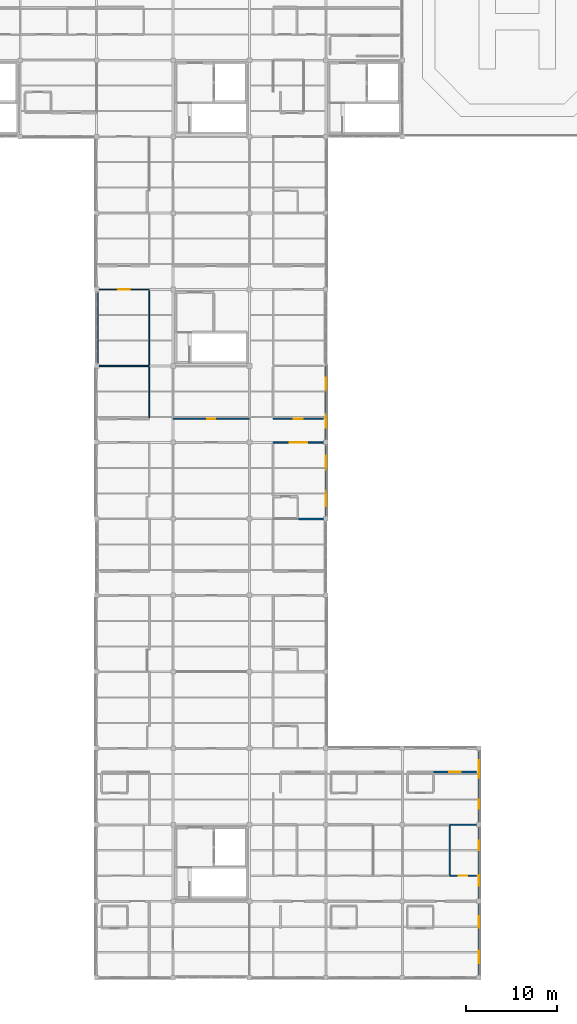
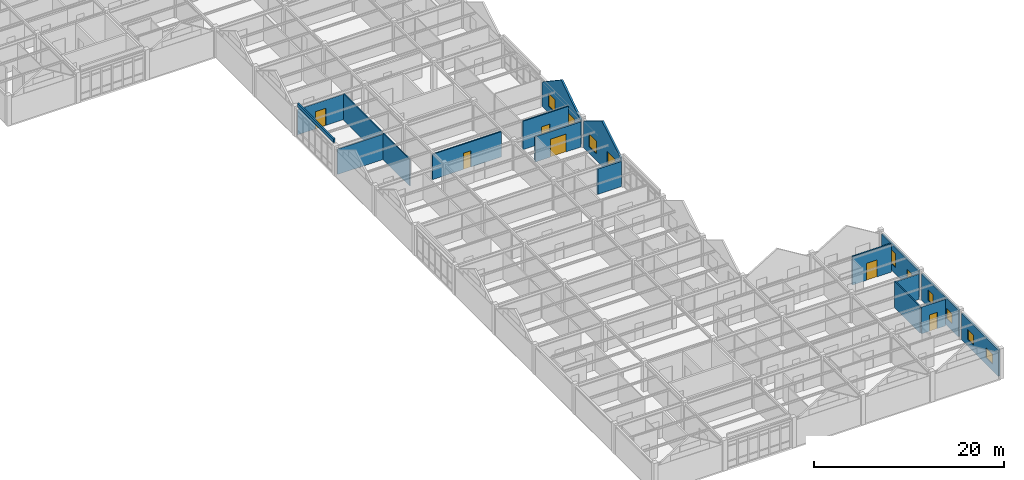
# One storey, part 37 of 45: 18 walls, 10 windows, 6 doors, 16 openings.
"""IFC4 building model written with IfcOpenShell, lengths in metres."""

from ifc_helpers import new_model, si_unit, direction, frame, frame_2d, origin, place, context, subcontext, project, spatial, polyline, rectangle, outline, extrude, material, layer, layer_set, type_object, element, fill, save


model = new_model("IFC4")

# Units and contexts
model_context = context("Model", 3, precision=1e-05, world=origin(), true_north=direction((0.0, 1.0)))
body_context = subcontext(model_context, "Body", "Model", "MODEL_VIEW")
ifc_project = project(units=[si_unit("LENGTHUNIT", "METRE"), si_unit("AREAUNIT", "SQUARE_METRE"), si_unit("VOLUMEUNIT", "CUBIC_METRE"), si_unit("PLANEANGLEUNIT", "RADIAN"), si_unit("MASSUNIT", "GRAM", prefix="KILO")], contexts=[model_context])

# Site, building, storey
site_placement = place(None, origin())
site = spatial("IfcSite", under=ifc_project, at=site_placement, CompositionType="ELEMENT")
building_placement = place(site_placement, origin())
building = spatial("IfcBuilding", under=site, at=building_placement, Name="Bramfleet General Hospital", CompositionType="ELEMENT")
storey_placement = place(building_placement, frame((0.0, 0.0, 30.300048828125)))
storey = spatial("IfcBuildingStorey", under=building, at=storey_placement, Name="L07", CompositionType="ELEMENT", Elevation=30.300048828125)

# Wall, openings, windows
ifc_material_1 = material(Name="Structural timber GL28h", Category="wood")
ifc_layer_1 = layer(ifc_material_1, 0.219970703125, Name="WT-EW-10")
ifc_layer_set_1 = layer_set([ifc_layer_1], Name="Structural timber GL28h")
wall_type_1 = type_object("IfcWallType", Name="WT-EW-10", PredefinedType="SOLIDWALL", material=ifc_layer_set_1)
wall_1_placement = place(storey_placement, frame((117.60009765625, 67.199951171875, 0.0), z_axis=(0.0, 0.0, 1.0), x_axis=(0.0, -1.0, 0.0)))
wall_1 = element("IfcWall", 1, at=wall_1_placement, inside=storey, type_object=wall_type_1, Name="L07 Exterior Wall 443", PredefinedType="SOLIDWALL", context=body_context, shape_type="SweptSolid", body=[
    extrude(outline(polyline([(0.0, 0.0), (8.074951171875, 0.0), (8.074951171875, 3.14990234375), (4.03759765625, 5.8466796875), (0.0, 3.14990234375), (0.0, 0.0)])), frame((0.0, 0.10986328125, 0.0), z_axis=(0.0, -1.0, 0.0), x_axis=(1.0, 0.0, 0.0)), (0.0, 0.0, 1.0), 0.219970703125),
])
opening_1_placement = place(wall_1_placement, frame((1.31884765625, 0.0, 0.85009765625)))
opening_1 = element("IfcOpeningElement", 2, at=opening_1_placement, cuts=wall_1, Name="Opening W-34", PredefinedType="OPENING", context=body_context, shape_type="SweptSolid", body=[
    extrude(rectangle(XDim=1.39990234375, YDim=1.659912109375, at=frame_2d((0.699951171875, 0.830078125))), frame((0.0, 0.119873046875, 0.0), z_axis=(0.0, -1.0, 0.0), x_axis=(1.0, 0.0, 0.0)), (0.0, 0.0, 1.0), 0.239990234375),
])
opening_2_placement = place(wall_1_placement, frame((5.306396484375, 0.0, 0.85009765625)))
opening_2 = element("IfcOpeningElement", 3, at=opening_2_placement, cuts=wall_1, Name="Opening W-35", PredefinedType="OPENING", context=body_context, shape_type="SweptSolid", body=[
    extrude(rectangle(XDim=1.5, YDim=1.659912109375, at=frame_2d((0.75, 0.830078125))), frame((0.0, 0.119873046875, 0.0), z_axis=(0.0, -1.0, 0.0), x_axis=(1.0, 0.0, 0.0)), (0.0, 0.0, 1.0), 0.239990234375),
])
ifc_material_2 = material(Name="Anodised aluminium and low-E triple glazing", Category="aluminium")
window_type_1 = type_object("IfcWindowType", Name="WIN-W-34", PartitioningType="SINGLE_PANEL", PredefinedType="WINDOW", material=ifc_material_2)
window_1_placement = place(opening_1_placement, origin())
window_1 = element("IfcWindow", 4, at=window_1_placement, inside=storey, type_object=window_type_1, Name="L07 Facade Window WIN-L07-443-1", OverallHeight=1.659912109375, OverallWidth=1.39990234375, PartitioningType="SINGLE_PANEL", PredefinedType="WINDOW", context=body_context, shape_type="SweptSolid", body=[
    extrude(rectangle(XDim=1.39990234375, YDim=1.659912109375, at=frame_2d((0.699951171875, 0.830078125))), frame((0.0, 0.030029296875, 0.0), z_axis=(0.0, -1.0, 0.0), x_axis=(1.0, 0.0, 0.0)), (0.0, 0.0, 1.0), 0.06005859375),
])
fill(opening_1, window_1)
window_type_2 = type_object("IfcWindowType", Name="WIN-W-35", PartitioningType="SINGLE_PANEL", PredefinedType="WINDOW", material=ifc_material_2)
window_2_placement = place(opening_2_placement, origin())
window_2 = element("IfcWindow", 5, at=window_2_placement, inside=storey, type_object=window_type_2, Name="L07 Facade Window WIN-L07-443-2", OverallHeight=1.659912109375, OverallWidth=1.5, PartitioningType="SINGLE_PANEL", PredefinedType="WINDOW", context=body_context, shape_type="SweptSolid", body=[
    extrude(rectangle(XDim=1.5, YDim=1.659912109375, at=frame_2d((0.75, 0.830078125))), frame((0.0, 0.030029296875, 0.0), z_axis=(0.0, -1.0, 0.0), x_axis=(1.0, 0.0, 0.0)), (0.0, 0.0, 1.0), 0.06005859375),
])
fill(opening_2, window_2)

wall_2_placement = place(storey_placement, frame((117.60009765625, 58.47509765625, 0.0), z_axis=(0.0, 0.0, 1.0), x_axis=(0.0, -1.0, 0.0)))
wall_2 = element("IfcWall", 6, at=wall_2_placement, inside=storey, type_object=wall_type_1, Name="L07 Exterior Wall 444", PredefinedType="SOLIDWALL", context=body_context, shape_type="SweptSolid", body=[
    extrude(outline(polyline([(0.0, 0.0), (7.75, 0.0), (7.75, 3.419921875), (3.875, 5.76025390625), (0.0, 3.419921875), (0.0, 0.0)])), frame((0.0, 0.10986328125, 0.0), z_axis=(0.0, -1.0, 0.0), x_axis=(1.0, 0.0, 0.0)), (0.0, 0.0, 1.0), 0.219970703125),
])
opening_3_placement = place(wall_2_placement, frame((1.137451171875, 0.0, 0.85009765625)))
opening_3 = element("IfcOpeningElement", 7, at=opening_3_placement, cuts=wall_2, Name="Opening W-36", PredefinedType="OPENING", context=body_context, shape_type="SweptSolid", body=[
    extrude(rectangle(XDim=1.60009765625, YDim=1.659912109375, at=frame_2d((0.800048828125, 0.830078125))), frame((0.0, 0.119873046875, 0.0), z_axis=(0.0, -1.0, 0.0), x_axis=(1.0, 0.0, 0.0)), (0.0, 0.0, 1.0), 0.239990234375),
])
opening_4_placement = place(wall_2_placement, frame((4.96240234375, 0.0, 0.85009765625)))
opening_4 = element("IfcOpeningElement", 8, at=opening_4_placement, cuts=wall_2, Name="Opening W-37", PredefinedType="OPENING", context=body_context, shape_type="SweptSolid", body=[
    extrude(rectangle(XDim=1.699951171875, YDim=1.659912109375, at=frame_2d((0.85009765625, 0.830078125))), frame((0.0, 0.119873046875, 0.0), z_axis=(0.0, -1.0, 0.0), x_axis=(1.0, 0.0, 0.0)), (0.0, 0.0, 1.0), 0.239990234375),
])
window_type_3 = type_object("IfcWindowType", Name="WIN-W-36", PartitioningType="SINGLE_PANEL", PredefinedType="WINDOW", material=ifc_material_2)
window_3_placement = place(opening_3_placement, origin())
window_3 = element("IfcWindow", 9, at=window_3_placement, inside=storey, type_object=window_type_3, Name="L07 Facade Window WIN-L07-444-1", OverallHeight=1.659912109375, OverallWidth=1.60009765625, PartitioningType="SINGLE_PANEL", PredefinedType="WINDOW", context=body_context, shape_type="SweptSolid", body=[
    extrude(rectangle(XDim=1.60009765625, YDim=1.659912109375, at=frame_2d((0.800048828125, 0.830078125))), frame((0.0, 0.030029296875, 0.0), z_axis=(0.0, -1.0, 0.0), x_axis=(1.0, 0.0, 0.0)), (0.0, 0.0, 1.0), 0.06005859375),
])
fill(opening_3, window_3)
window_type_4 = type_object("IfcWindowType", Name="WIN-W-37", PartitioningType="SINGLE_PANEL", PredefinedType="WINDOW", material=ifc_material_2)
window_4_placement = place(opening_4_placement, origin())
window_4 = element("IfcWindow", 10, at=window_4_placement, inside=storey, type_object=window_type_4, Name="L07 Facade Window WIN-L07-444-2", OverallHeight=1.659912109375, OverallWidth=1.699951171875, PartitioningType="SINGLE_PANEL", PredefinedType="WINDOW", context=body_context, shape_type="SweptSolid", body=[
    extrude(rectangle(XDim=1.699951171875, YDim=1.659912109375, at=frame_2d((0.85009765625, 0.830078125))), frame((0.0, 0.030029296875, 0.0), z_axis=(0.0, -1.0, 0.0), x_axis=(1.0, 0.0, 0.0)), (0.0, 0.0, 1.0), 0.06005859375),
])
fill(opening_4, window_4)

wall_3_placement = place(storey_placement, frame((134.39990234375, 24.875, 0.0), z_axis=(0.0, 0.0, 1.0), x_axis=(0.0, -1.0, 0.0)))
wall_3 = element("IfcWall", 11, at=wall_3_placement, inside=storey, type_object=wall_type_1, Name="L07 Exterior Wall 449", PredefinedType="SOLIDWALL", context=body_context, shape_type="SweptSolid", body=[
    extrude(rectangle(XDim=7.75, YDim=0.219970703125, at=frame_2d((3.875, 0.0))), origin(), (0.0, 0.0, 1.0), 3.419921875),
])
opening_5_placement = place(wall_3_placement, frame((0.987548828125, 0.0, 0.85009765625)))
opening_5 = element("IfcOpeningElement", 12, at=opening_5_placement, cuts=wall_3, Name="Opening W-46", PredefinedType="OPENING", context=body_context, shape_type="SweptSolid", body=[
    extrude(rectangle(XDim=1.89990234375, YDim=1.780029296875, at=frame_2d((0.949951171875, 0.89013671875))), frame((0.0, 0.119873046875, 0.0), z_axis=(0.0, -1.0, 0.0), x_axis=(1.0, 0.0, 0.0)), (0.0, 0.0, 1.0), 0.239990234375),
])
opening_6_placement = place(wall_3_placement, frame((5.33740234375, 0.0, 0.85009765625)))
opening_6 = element("IfcOpeningElement", 13, at=opening_6_placement, cuts=wall_3, Name="Opening W-01", PredefinedType="OPENING", context=body_context, shape_type="SweptSolid", body=[
    extrude(rectangle(XDim=0.949951171875, YDim=1.300048828125, at=frame_2d((0.47509765625, 0.64990234375))), frame((0.0, 0.119873046875, 0.0), z_axis=(0.0, -1.0, 0.0), x_axis=(1.0, 0.0, 0.0)), (0.0, 0.0, 1.0), 0.239990234375),
])
window_type_5 = type_object("IfcWindowType", Name="WIN-W-01", PartitioningType="SINGLE_PANEL", PredefinedType="WINDOW", material=ifc_material_2)
window_5_placement = place(opening_6_placement, origin())
window_5 = element("IfcWindow", 14, at=window_5_placement, inside=storey, type_object=window_type_5, Name="L07 Facade Window WIN-L07-449-2", OverallHeight=1.300048828125, OverallWidth=0.949951171875, PartitioningType="SINGLE_PANEL", PredefinedType="WINDOW", context=body_context, shape_type="SweptSolid", body=[
    extrude(rectangle(XDim=0.949951171875, YDim=1.300048828125, at=frame_2d((0.47509765625, 0.64990234375))), frame((0.0, 0.030029296875, 0.0), z_axis=(0.0, -1.0, 0.0), x_axis=(1.0, 0.0, 0.0)), (0.0, 0.0, 1.0), 0.06005859375),
])
fill(opening_6, window_5)
window_type_6 = type_object("IfcWindowType", Name="WIN-W-46", PartitioningType="SINGLE_PANEL", PredefinedType="WINDOW", material=ifc_material_2)
window_6_placement = place(opening_5_placement, origin())
window_6 = element("IfcWindow", 15, at=window_6_placement, inside=storey, type_object=window_type_6, Name="L07 Facade Window WIN-L07-449-1", OverallHeight=1.780029296875, OverallWidth=1.89990234375, PartitioningType="SINGLE_PANEL", PredefinedType="WINDOW", context=body_context, shape_type="SweptSolid", body=[
    extrude(rectangle(XDim=1.89990234375, YDim=1.780029296875, at=frame_2d((0.949951171875, 0.89013671875))), frame((0.0, 0.030029296875, 0.0), z_axis=(0.0, -1.0, 0.0), x_axis=(1.0, 0.0, 0.0)), (0.0, 0.0, 1.0), 0.06005859375),
])
fill(opening_5, window_6)

wall_4_placement = place(storey_placement, frame((134.39990234375, 16.47509765625, 0.0), z_axis=(0.0, 0.0, 1.0), x_axis=(0.0, -1.0, 0.0)))
wall_4 = element("IfcWall", 16, at=wall_4_placement, inside=storey, type_object=wall_type_1, Name="L07 Exterior Wall 450", PredefinedType="SOLIDWALL", context=body_context, shape_type="SweptSolid", body=[
    extrude(rectangle(XDim=7.75, YDim=0.219970703125, at=frame_2d((3.875, 0.0))), origin(), (0.0, 0.0, 1.0), 3.419921875),
])
opening_7_placement = place(wall_4_placement, frame((1.41259765625, 0.0, 0.85009765625)))
opening_7 = element("IfcOpeningElement", 17, at=opening_7_placement, cuts=wall_4, Name="Opening W-02", PredefinedType="OPENING", context=body_context, shape_type="SweptSolid", body=[
    extrude(rectangle(XDim=1.050048828125, YDim=1.300048828125, at=frame_2d((0.52490234375, 0.64990234375))), frame((0.0, 0.119873046875, 0.0), z_axis=(0.0, -1.0, 0.0), x_axis=(1.0, 0.0, 0.0)), (0.0, 0.0, 1.0), 0.239990234375),
])
opening_8_placement = place(wall_4_placement, frame((5.237548828125, 0.0, 0.85009765625)))
opening_8 = element("IfcOpeningElement", 18, at=opening_8_placement, cuts=wall_4, Name="Opening W-03", PredefinedType="OPENING", context=body_context, shape_type="SweptSolid", body=[
    extrude(rectangle(XDim=1.14990234375, YDim=1.300048828125, at=frame_2d((0.574951171875, 0.64990234375))), frame((0.0, 0.119873046875, 0.0), z_axis=(0.0, -1.0, 0.0), x_axis=(1.0, 0.0, 0.0)), (0.0, 0.0, 1.0), 0.239990234375),
])
window_type_7 = type_object("IfcWindowType", Name="WIN-W-02", PartitioningType="SINGLE_PANEL", PredefinedType="WINDOW", material=ifc_material_2)
window_7_placement = place(opening_7_placement, origin())
window_7 = element("IfcWindow", 19, at=window_7_placement, inside=storey, type_object=window_type_7, Name="L07 Facade Window WIN-L07-450-1", OverallHeight=1.300048828125, OverallWidth=1.050048828125, PartitioningType="SINGLE_PANEL", PredefinedType="WINDOW", context=body_context, shape_type="SweptSolid", body=[
    extrude(rectangle(XDim=1.050048828125, YDim=1.300048828125, at=frame_2d((0.52490234375, 0.64990234375))), frame((0.0, 0.030029296875, 0.0), z_axis=(0.0, -1.0, 0.0), x_axis=(1.0, 0.0, 0.0)), (0.0, 0.0, 1.0), 0.06005859375),
])
fill(opening_7, window_7)
window_type_8 = type_object("IfcWindowType", Name="WIN-W-03", PartitioningType="SINGLE_PANEL", PredefinedType="WINDOW", material=ifc_material_2)
window_8_placement = place(opening_8_placement, origin())
window_8 = element("IfcWindow", 20, at=window_8_placement, inside=storey, type_object=window_type_8, Name="L07 Facade Window WIN-L07-450-2", OverallHeight=1.300048828125, OverallWidth=1.14990234375, PartitioningType="SINGLE_PANEL", PredefinedType="WINDOW", context=body_context, shape_type="SweptSolid", body=[
    extrude(rectangle(XDim=1.14990234375, YDim=1.300048828125, at=frame_2d((0.574951171875, 0.64990234375))), frame((0.0, 0.030029296875, 0.0), z_axis=(0.0, -1.0, 0.0), x_axis=(1.0, 0.0, 0.0)), (0.0, 0.0, 1.0), 0.06005859375),
])
fill(opening_8, window_8)

wall_5_placement = place(storey_placement, frame((134.39990234375, 8.074951171875, 0.0), z_axis=(0.0, 0.0, 1.0), x_axis=(0.0, -1.0, 0.0)))
wall_5 = element("IfcWall", 21, at=wall_5_placement, inside=storey, type_object=wall_type_1, Name="L07 Exterior Wall 451", PredefinedType="SOLIDWALL", context=body_context, shape_type="SweptSolid", body=[
    extrude(rectangle(XDim=7.75, YDim=0.219970703125, at=frame_2d((3.875, 0.0))), origin(), (0.0, 0.0, 1.0), 3.419921875),
])
opening_9_placement = place(wall_5_placement, frame((1.3125, 0.0, 0.85009765625)))
opening_9 = element("IfcOpeningElement", 22, at=opening_9_placement, cuts=wall_5, Name="Opening W-04", PredefinedType="OPENING", context=body_context, shape_type="SweptSolid", body=[
    extrude(rectangle(XDim=1.25, YDim=1.300048828125, at=frame_2d((0.625, 0.64990234375))), frame((0.0, 0.119873046875, 0.0), z_axis=(0.0, -1.0, 0.0), x_axis=(1.0, 0.0, 0.0)), (0.0, 0.0, 1.0), 0.239990234375),
])
opening_10_placement = place(wall_5_placement, frame((5.137451171875, 0.0, 0.85009765625)))
opening_10 = element("IfcOpeningElement", 23, at=opening_10_placement, cuts=wall_5, Name="Opening W-05", PredefinedType="OPENING", context=body_context, shape_type="SweptSolid", body=[
    extrude(rectangle(XDim=1.35009765625, YDim=1.300048828125, at=frame_2d((0.675048828125, 0.64990234375))), frame((0.0, 0.119873046875, 0.0), z_axis=(0.0, -1.0, 0.0), x_axis=(1.0, 0.0, 0.0)), (0.0, 0.0, 1.0), 0.239990234375),
])
window_type_9 = type_object("IfcWindowType", Name="WIN-W-04", PartitioningType="SINGLE_PANEL", PredefinedType="WINDOW", material=ifc_material_2)
window_9_placement = place(opening_9_placement, origin())
window_9 = element("IfcWindow", 24, at=window_9_placement, inside=storey, type_object=window_type_9, Name="L07 Facade Window WIN-L07-451-1", OverallHeight=1.300048828125, OverallWidth=1.25, PartitioningType="SINGLE_PANEL", PredefinedType="WINDOW", context=body_context, shape_type="SweptSolid", body=[
    extrude(rectangle(XDim=1.25, YDim=1.300048828125, at=frame_2d((0.625, 0.64990234375))), frame((0.0, 0.030029296875, 0.0), z_axis=(0.0, -1.0, 0.0), x_axis=(1.0, 0.0, 0.0)), (0.0, 0.0, 1.0), 0.06005859375),
])
fill(opening_9, window_9)
window_type_10 = type_object("IfcWindowType", Name="WIN-W-05", PartitioningType="SINGLE_PANEL", PredefinedType="WINDOW", material=ifc_material_2)
window_10_placement = place(opening_10_placement, origin())
window_10 = element("IfcWindow", 25, at=window_10_placement, inside=storey, type_object=window_type_10, Name="L07 Facade Window WIN-L07-451-2", OverallHeight=1.300048828125, OverallWidth=1.35009765625, PartitioningType="SINGLE_PANEL", PredefinedType="WINDOW", context=body_context, shape_type="SweptSolid", body=[
    extrude(rectangle(XDim=1.35009765625, YDim=1.300048828125, at=frame_2d((0.675048828125, 0.64990234375))), frame((0.0, 0.030029296875, 0.0), z_axis=(0.0, -1.0, 0.0), x_axis=(1.0, 0.0, 0.0)), (0.0, 0.0, 1.0), 0.06005859375),
])
fill(opening_10, window_10)

# Wall
ifc_material_3 = material(Name="Concrete C35/45", Category="concrete")
ifc_layer_2 = layer(ifc_material_3, 0.219970703125, Name="WT-IW-01")
ifc_layer_set_2 = layer_set([ifc_layer_2], Name="Concrete C35/45")
wall_type_2 = type_object("IfcWallType", Name="WT-IW-01", PredefinedType="PARTITIONING", material=ifc_layer_set_2)
wall_6_placement = place(storey_placement, frame((114.5, 50.39990234375, 0.0), z_axis=(0.0, 0.0, 1.0), x_axis=(1.0, 0.0, 0.0)))
element("IfcWall", 26, at=wall_6_placement, inside=storey, type_object=wall_type_2, Name="L07 Interior Partition IW-L07-4177", PredefinedType="PARTITIONING", context=body_context, shape_type="SweptSolid", body=[
    extrude(rectangle(XDim=2.85498046875, YDim=0.219970703125, at=frame_2d((1.427490234375, 0.0))), origin(), (0.0, 0.0, 1.0), 3.25),
])

# Wall, opening, door
ifc_material_4 = material(Name="Gypsum plasterboard on acoustic steel studs", Category="steel")
ifc_layer_3 = layer(ifc_material_4, 0.169921875, Name="WT-IW-05")
ifc_layer_set_3 = layer_set([ifc_layer_3], Name="Gypsum plasterboard on acoustic steel studs")
wall_type_3 = type_object("IfcWallType", Name="WT-IW-05", PredefinedType="PARTITIONING", material=ifc_layer_set_3)
wall_7_placement = place(storey_placement, frame((129.39990234375, 22.60009765625, 0.0), z_axis=(0.0, 0.0, 1.0), x_axis=(1.0, 0.0, 0.0)))
wall_7 = element("IfcWall", 27, at=wall_7_placement, inside=storey, type_object=wall_type_3, Name="L07 Interior Partition IW-L07-4157", PredefinedType="PARTITIONING", context=body_context, shape_type="SweptSolid", body=[
    extrude(rectangle(XDim=4.72021484375, YDim=0.169921875, at=frame_2d((2.360107421875, 0.0))), origin(), (0.0, 0.0, 1.0), 3.64990234375),
])
opening_11_placement = place(wall_7_placement, frame((1.719970703125, 0.0, 0.0)))
opening_11 = element("IfcOpeningElement", 28, at=opening_11_placement, cuts=wall_7, Name="Opening D1597", PredefinedType="OPENING", context=body_context, shape_type="SweptSolid", body=[
    extrude(rectangle(XDim=1.280029296875, YDim=2.179931640625, at=frame_2d((0.64013671875, 1.08984375))), frame((0.0, 0.094970703125, 0.0), z_axis=(0.0, -1.0, 0.0), x_axis=(1.0, 0.0, 0.0)), (0.0, 0.0, 1.0), 0.18994140625),
])
ifc_material_5 = material(Name="Stainless steel and acoustic timber leaf", Category="steel")
door_type_1 = type_object("IfcDoorType", Name="DR-D-29", OperationType="NOTDEFINED", PredefinedType="DOOR", material=ifc_material_5)
door_1_placement = place(opening_11_placement, origin())
door_1 = element("IfcDoor", 29, at=door_1_placement, inside=storey, type_object=door_type_1, Name="Gabled Patient House PH-08 Bedroom 1502 Door D1597", OperationType="SINGLE_SWING_RIGHT", OverallHeight=2.179931640625, OverallWidth=1.280029296875, PredefinedType="DOOR", context=body_context, shape_type="SweptSolid", body=[
    extrude(rectangle(XDim=1.280029296875, YDim=2.179931640625, at=frame_2d((0.64013671875, 1.08984375))), frame((0.0, 0.02490234375, 0.0), z_axis=(0.0, -1.0, 0.0), x_axis=(1.0, 0.0, 0.0)), (0.0, 0.0, 1.0), 0.050048828125),
])
fill(opening_11, door_1)

wall_8_placement = place(storey_placement, frame((111.800048828125, 58.800048828125, 0.0), z_axis=(0.0, 0.0, 1.0), x_axis=(1.0, 0.0, 0.0)))
wall_8 = element("IfcWall", 30, at=wall_8_placement, inside=storey, type_object=wall_type_3, Name="L07 Interior Partition IW-L07-4181", PredefinedType="PARTITIONING", context=body_context, shape_type="SweptSolid", body=[
    extrude(rectangle(XDim=5.554931640625, YDim=0.169921875, at=frame_2d((2.77734375, 0.0))), origin(), (0.0, 0.0, 1.0), 3.25),
])
opening_12_placement = place(wall_8_placement, frame((1.827392578125, 0.0, 0.0)))
opening_12 = element("IfcOpeningElement", 31, at=opening_12_placement, cuts=wall_8, Name="Opening D1574", PredefinedType="OPENING", context=body_context, shape_type="SweptSolid", body=[
    extrude(rectangle(XDim=1.89990234375, YDim=2.300048828125, at=frame_2d((0.949951171875, 1.14990234375))), frame((0.0, 0.094970703125, 0.0), z_axis=(0.0, -1.0, 0.0), x_axis=(1.0, 0.0, 0.0)), (0.0, 0.0, 1.0), 0.18994140625),
])
door_type_2 = type_object("IfcDoorType", Name="DR-D-06", OperationType="NOTDEFINED", PredefinedType="DOOR", material=ifc_material_5)
door_2_placement = place(opening_12_placement, origin())
door_2 = element("IfcDoor", 32, at=door_2_placement, inside=storey, type_object=door_type_2, Name="Gabled Patient House PH-11 Bedroom 1306 Door D1574", OperationType="DOUBLE_SWING_LEFT", OverallHeight=2.300048828125, OverallWidth=1.89990234375, PredefinedType="DOOR", context=body_context, shape_type="SweptSolid", body=[
    extrude(rectangle(XDim=1.89990234375, YDim=2.300048828125, at=frame_2d((0.949951171875, 1.14990234375))), frame((0.0, 0.02490234375, 0.0), z_axis=(0.0, -1.0, 0.0), x_axis=(1.0, 0.0, 0.0)), (0.0, 0.0, 1.0), 0.050048828125),
])
fill(opening_12, door_2)

ifc_layer_4 = layer(ifc_material_4, 0.14990234375, Name="WT-IW-07")
ifc_layer_set_4 = layer_set([ifc_layer_4], Name="Gypsum plasterboard on acoustic steel studs")
wall_type_4 = type_object("IfcWallType", Name="WT-IW-07", PredefinedType="PARTITIONING", material=ifc_layer_set_4)
wall_9_placement = place(storey_placement, frame((100.800048828125, 61.39990234375, 0.0), z_axis=(0.0, 0.0, 1.0), x_axis=(1.0, 0.0, 0.0)))
wall_9 = element("IfcWall", 33, at=wall_9_placement, inside=storey, type_object=wall_type_4, Name="L07 Interior Partition IW-L07-4183", PredefinedType="PARTITIONING", context=body_context, shape_type="SweptSolid", body=[
    extrude(rectangle(XDim=8.39990234375, YDim=0.14990234375, at=frame_2d((4.199951171875, 0.0))), origin(), (0.0, 0.0, 1.0), 3.25),
])
opening_13_placement = place(wall_9_placement, frame((3.739990234375, 0.0, 0.0)))
opening_13 = element("IfcOpeningElement", 34, at=opening_13_placement, cuts=wall_9, Name="Opening D1561", PredefinedType="OPENING", context=body_context, shape_type="SweptSolid", body=[
    extrude(rectangle(XDim=0.919921875, YDim=2.080078125, at=frame_2d((0.4599609375, 1.0400390625))), frame((0.0, 0.0849609375, 0.0), z_axis=(0.0, -1.0, 0.0), x_axis=(1.0, 0.0, 0.0)), (0.0, 0.0, 1.0), 0.169921875),
])
door_type_3 = type_object("IfcDoorType", Name="DR-D-25", OperationType="NOTDEFINED", PredefinedType="DOOR", material=ifc_material_5)
door_3_placement = place(opening_13_placement, origin())
door_3 = element("IfcDoor", 35, at=door_3_placement, inside=storey, type_object=door_type_3, Name="Patient House Clean Support Room L07-1207 Door D1561", OperationType="SINGLE_SWING_RIGHT", OverallHeight=2.080078125, OverallWidth=0.919921875, PredefinedType="DOOR", context=body_context, shape_type="SweptSolid", body=[
    extrude(rectangle(XDim=0.919921875, YDim=2.080078125, at=frame_2d((0.4599609375, 1.0400390625))), frame((0.0, 0.02490234375, 0.0), z_axis=(0.0, -1.0, 0.0), x_axis=(1.0, 0.0, 0.0)), (0.0, 0.0, 1.0), 0.050048828125),
])
fill(opening_13, door_3)

ifc_layer_5 = layer(ifc_material_4, 0.139892578125, Name="WT-IW-08")
ifc_layer_set_5 = layer_set([ifc_layer_5], Name="Gypsum plasterboard on acoustic steel studs")
wall_type_5 = type_object("IfcWallType", Name="WT-IW-08", PredefinedType="PARTITIONING", material=ifc_layer_set_5)
wall_10_placement = place(storey_placement, frame((111.800048828125, 61.39990234375, 0.0), z_axis=(0.0, 0.0, 1.0), x_axis=(1.0, 0.0, 0.0)))
wall_10 = element("IfcWall", 36, at=wall_10_placement, inside=storey, type_object=wall_type_5, Name="L07 Interior Partition IW-L07-4184", PredefinedType="PARTITIONING", context=body_context, shape_type="SweptSolid", body=[
    extrude(rectangle(XDim=5.52001953125, YDim=0.139892578125, at=frame_2d((2.760009765625, 0.0))), origin(), (0.0, 0.0, 1.0), 3.64990234375),
])
opening_14_placement = place(wall_10_placement, frame((2.260009765625, 0.0, 0.0)))
opening_14 = element("IfcOpeningElement", 37, at=opening_14_placement, cuts=wall_10, Name="Opening D1576", PredefinedType="OPENING", context=body_context, shape_type="SweptSolid", body=[
    extrude(rectangle(XDim=1.0, YDim=2.14990234375, at=frame_2d((0.5, 1.074951171875))), frame((0.0, 0.079833984375, 0.0), z_axis=(0.0, -1.0, 0.0), x_axis=(1.0, 0.0, 0.0)), (0.0, 0.0, 1.0), 0.159912109375),
])
door_type_4 = type_object("IfcDoorType", Name="DR-D-08", OperationType="NOTDEFINED", PredefinedType="DOOR", material=ifc_material_5)
door_4_placement = place(opening_14_placement, origin())
door_4 = element("IfcDoor", 38, at=door_4_placement, inside=storey, type_object=door_type_4, Name="Gabled Patient House PH-12 Bedroom 1307 Door D1576", OperationType="SINGLE_SWING_LEFT", OverallHeight=2.14990234375, OverallWidth=1.0, PredefinedType="DOOR", context=body_context, shape_type="SweptSolid", body=[
    extrude(rectangle(XDim=1.0, YDim=2.14990234375, at=frame_2d((0.5, 1.074951171875))), frame((0.0, 0.02490234375, 0.0), z_axis=(0.0, -1.0, 0.0), x_axis=(1.0, 0.0, 0.0)), (0.0, 0.0, 1.0), 0.050048828125),
])
fill(opening_14, door_4)

# Walls
wall_11_placement = place(storey_placement, frame((131.199951171875, 11.31494140625, 0.0), z_axis=(0.0, 0.0, 1.0), x_axis=(0.0, 1.0, 0.0)))
element("IfcWall", 39, at=wall_11_placement, inside=storey, type_object=wall_type_5, Name="L07 Interior Partition IW-L07-4352", PredefinedType="PARTITIONING", context=body_context, shape_type="SweptSolid", body=[
    extrude(rectangle(XDim=5.3701171875, YDim=0.139892578125, at=frame_2d((2.68505859375, 0.0))), origin(), (0.0, 0.0, 1.0), 3.409912109375),
])
ifc_layer_6 = layer(ifc_material_4, 0.1298828125, Name="WT-IW-09")
ifc_layer_set_6 = layer_set([ifc_layer_6], Name="Gypsum plasterboard on acoustic steel studs")
wall_type_6 = type_object("IfcWallType", Name="WT-IW-09", PredefinedType="PARTITIONING", material=ifc_layer_set_6)
wall_12_placement = place(storey_placement, frame((92.64501953125, 67.199951171875, 0.0), z_axis=(0.0, 0.0, 1.0), x_axis=(1.0, 0.0, 0.0)))
element("IfcWall", 40, at=wall_12_placement, inside=storey, type_object=wall_type_6, Name="L07 Interior Partition IW-L07-4185", PredefinedType="PARTITIONING", context=body_context, shape_type="SweptSolid", body=[
    extrude(rectangle(XDim=5.554931640625, YDim=0.1298828125, at=frame_2d((2.77734375, 0.0))), origin(), (0.0, 0.0, 1.0), 3.25),
])
wall_13_placement = place(storey_placement, frame((98.199951171875, 61.514892578125, 0.0), z_axis=(0.0, 0.0, 1.0), x_axis=(0.0, 1.0, 0.0)))
element("IfcWall", 41, at=wall_13_placement, inside=storey, type_object=wall_type_6, Name="L07 Interior Partition IW-L07-4281", PredefinedType="PARTITIONING", context=body_context, shape_type="SweptSolid", body=[
    extrude(rectangle(XDim=5.570068359375, YDim=0.1298828125, at=frame_2d((2.78515625, 0.0))), origin(), (0.0, 0.0, 1.0), 3.409912109375),
])

# Wall, opening, door
ifc_layer_7 = layer(ifc_material_4, 0.1201171875, Name="WT-IW-10")
ifc_layer_set_7 = layer_set([ifc_layer_7], Name="Gypsum plasterboard on acoustic steel studs")
wall_type_7 = type_object("IfcWallType", Name="WT-IW-10", PredefinedType="PARTITIONING", material=ifc_layer_set_7)
wall_14_placement = place(storey_placement, frame((131.199951171875, 11.199951171875, 0.0), z_axis=(0.0, 0.0, 1.0), x_axis=(1.0, 0.0, 0.0)))
wall_14 = element("IfcWall", 42, at=wall_14_placement, inside=storey, type_object=wall_type_7, Name="L07 Interior Partition IW-L07-4140", PredefinedType="PARTITIONING", context=body_context, shape_type="SweptSolid", body=[
    extrude(rectangle(XDim=2.920166015625, YDim=0.1201171875, at=frame_2d((1.4599609375, 0.0))), origin(), (0.0, 0.0, 1.0), 3.409912109375),
])
opening_15_placement = place(wall_14_placement, frame((0.985107421875, 0.0, 0.0)))
opening_15 = element("IfcOpeningElement", 43, at=opening_15_placement, cuts=wall_14, Name="Opening D1596", PredefinedType="OPENING", context=body_context, shape_type="SweptSolid", body=[
    extrude(rectangle(XDim=0.949951171875, YDim=2.10009765625, at=frame_2d((0.47509765625, 1.050048828125))), frame((0.0, 0.070068359375, 0.0), z_axis=(0.0, -1.0, 0.0), x_axis=(1.0, 0.0, 0.0)), (0.0, 0.0, 1.0), 0.14013671875),
])
door_type_5 = type_object("IfcDoorType", Name="DR-D-10", OperationType="NOTDEFINED", PredefinedType="DOOR", material=ifc_material_5)
door_5_placement = place(opening_15_placement, origin())
door_5 = element("IfcDoor", 44, at=door_5_placement, inside=storey, type_object=door_type_5, Name="Level 07 Accessible and Staff WC 1501 Door D1596", OperationType="SINGLE_SWING_LEFT", OverallHeight=2.10009765625, OverallWidth=0.949951171875, PredefinedType="DOOR", context=body_context, shape_type="SweptSolid", body=[
    extrude(rectangle(XDim=0.949951171875, YDim=2.10009765625, at=frame_2d((0.47509765625, 1.050048828125))), frame((0.0, 0.02490234375, 0.0), z_axis=(0.0, -1.0, 0.0), x_axis=(1.0, 0.0, 0.0)), (0.0, 0.0, 1.0), 0.050048828125),
])
fill(opening_15, door_5)

# Walls
wall_15_placement = place(storey_placement, frame((131.199951171875, 16.800048828125, 0.0), z_axis=(0.0, 0.0, 1.0), x_axis=(1.0, 0.0, 0.0)))
element("IfcWall", 45, at=wall_15_placement, inside=storey, type_object=wall_type_7, Name="L07 Interior Partition IW-L07-4147", PredefinedType="PARTITIONING", context=body_context, shape_type="SweptSolid", body=[
    extrude(rectangle(XDim=2.955078125, YDim=0.1201171875, at=frame_2d((1.4775390625, 0.0))), origin(), (0.0, 0.0, 1.0), 3.25),
])
wall_16_placement = place(storey_placement, frame((98.199951171875, 67.31494140625, 0.0), z_axis=(0.0, 0.0, 1.0), x_axis=(0.0, 1.0, 0.0)))
element("IfcWall", 46, at=wall_16_placement, inside=storey, type_object=wall_type_7, Name="L07 Interior Partition IW-L07-4282", PredefinedType="PARTITIONING", context=body_context, shape_type="SweptSolid", body=[
    extrude(rectangle(XDim=8.170166015625, YDim=0.1201171875, at=frame_2d((4.0849609375, 0.0))), origin(), (0.0, 0.0, 1.0), 3.409912109375),
])

# Wall, opening, door
ifc_layer_8 = layer(ifc_material_4, 0.10009765625, Name="WT-IW-12")
ifc_layer_set_8 = layer_set([ifc_layer_8], Name="Gypsum plasterboard on acoustic steel studs")
wall_type_8 = type_object("IfcWallType", Name="WT-IW-12", PredefinedType="PARTITIONING", material=ifc_layer_set_8)
wall_17_placement = place(storey_placement, frame((92.64501953125, 75.60009765625, 0.0), z_axis=(0.0, 0.0, 1.0), x_axis=(1.0, 0.0, 0.0)))
wall_17 = element("IfcWall", 47, at=wall_17_placement, inside=storey, type_object=wall_type_8, Name="L07 Interior Partition IW-L07-4188", PredefinedType="PARTITIONING", context=body_context, shape_type="SweptSolid", body=[
    extrude(rectangle(XDim=5.554931640625, YDim=0.10009765625, at=frame_2d((2.77734375, 0.0))), origin(), (0.0, 0.0, 1.0), 3.25),
])
opening_16_placement = place(wall_17_placement, frame((2.152587890625, 0.0, 0.0)))
opening_16 = element("IfcOpeningElement", 48, at=opening_16_placement, cuts=wall_17, Name="Opening D1550", PredefinedType="OPENING", context=body_context, shape_type="SweptSolid", body=[
    extrude(rectangle(XDim=1.25, YDim=2.199951171875, at=frame_2d((0.625, 1.10009765625))), frame((0.0, 0.06005859375, 0.0), z_axis=(0.0, -1.0, 0.0), x_axis=(1.0, 0.0, 0.0)), (0.0, 0.0, 1.0), 0.1201171875),
])
door_type_6 = type_object("IfcDoorType", Name="DR-D-14", OperationType="NOTDEFINED", PredefinedType="DOOR", material=ifc_material_5)
door_6_placement = place(opening_16_placement, origin())
door_6 = element("IfcDoor", 49, at=door_6_placement, inside=storey, type_object=door_type_6, Name="Flat-Link Nurse Station and Medication Hub L07-1108 Door D1550", OperationType="SINGLE_SWING_LEFT", OverallHeight=2.199951171875, OverallWidth=1.25, PredefinedType="DOOR", context=body_context, shape_type="SweptSolid", body=[
    extrude(rectangle(XDim=1.25, YDim=2.199951171875, at=frame_2d((0.625, 1.10009765625))), frame((0.0, 0.02490234375, 0.0), z_axis=(0.0, -1.0, 0.0), x_axis=(1.0, 0.0, 0.0)), (0.0, 0.0, 1.0), 0.050048828125),
])
fill(opening_16, door_6)

# Wall
ifc_material_6 = material(Name="Precast concrete C40/50", Category="concrete")
ifc_layer_9 = layer(ifc_material_6, 0.18505859375, Name="WT-PW-02")
ifc_layer_set_9 = layer_set([ifc_layer_9], Name="Precast concrete C40/50")
wall_type_9 = type_object("IfcWallType", Name="WT-PW-02", PredefinedType="PARAPET", material=ifc_layer_set_9)
wall_18_placement = place(storey_placement, frame((92.50244140625, 67.580078125, 3.8798828125), z_axis=(0.0, 0.0, 1.0), x_axis=(0.0, 1.0, 0.0)))
element("IfcWall", 50, at=wall_18_placement, inside=storey, type_object=wall_type_9, Name="Roof Parapet Wall 98", PredefinedType="PARAPET", context=body_context, shape_type="SweptSolid", body=[
    extrude(rectangle(XDim=7.639892578125, YDim=0.18505859375, at=frame_2d((3.81982421875, 0.0))), origin(), (0.0, 0.0, 1.0), 0.469970703125),
])

save(model, "model.ifc")
